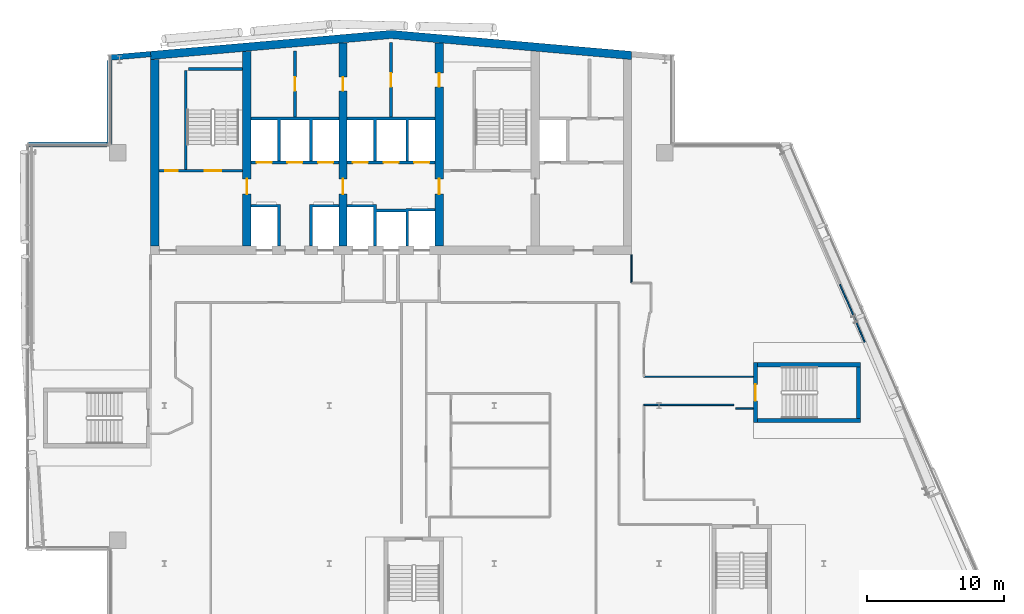
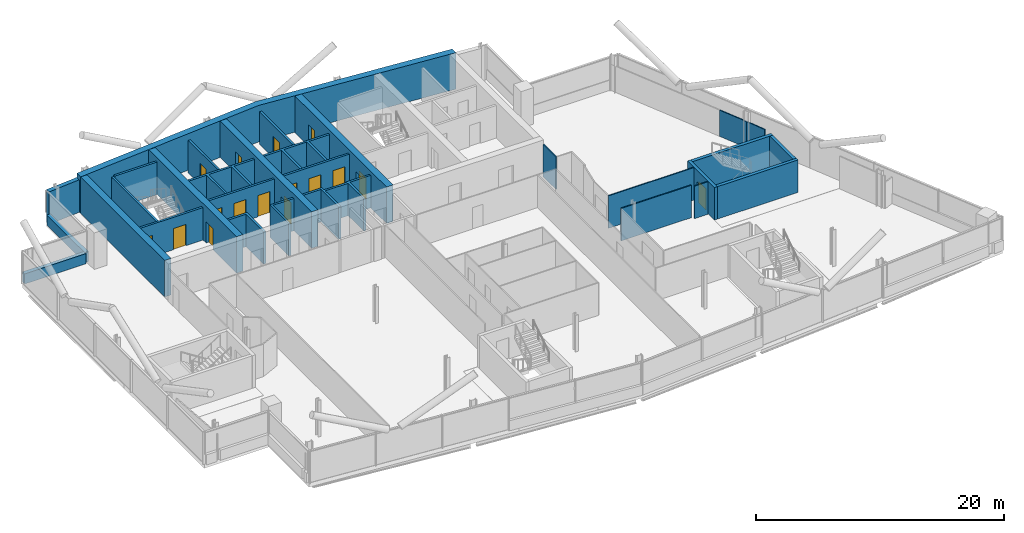
# One storey, part 17 of 26: 30 walls, 16 doors, 16 openings.
"""IFC4 building model written with IfcOpenShell, lengths in metres."""

from ifc_helpers import new_model, si_unit, direction, frame, frame_2d, origin, place, context, subcontext, project, spatial, polyline, rectangle, outline, extrude, material, layer, layer_set, type_object, element, fill, save


model = new_model("IFC4")

# Units and contexts
model_context = context("Model", 3, precision=1e-05, world=origin(), true_north=direction((0.0, 1.0)))
body_context = subcontext(model_context, "Body", "Model", "MODEL_VIEW")
ifc_project = project(units=[si_unit("LENGTHUNIT", "METRE"), si_unit("AREAUNIT", "SQUARE_METRE"), si_unit("VOLUMEUNIT", "CUBIC_METRE"), si_unit("PLANEANGLEUNIT", "RADIAN"), si_unit("MASSUNIT", "GRAM", prefix="KILO")], contexts=[model_context])

# Site, building, storey
site_placement = place(None, origin())
site = spatial("IfcSite", under=ifc_project, at=site_placement, CompositionType="ELEMENT")
building_placement = place(site_placement, origin())
building = spatial("IfcBuilding", under=site, at=building_placement, Name="Wharfspan Tower", CompositionType="ELEMENT")
storey_placement = place(building_placement, frame((0.0, 0.0, 235.899902)))
storey = spatial("IfcBuildingStorey", under=building, at=storey_placement, Name="L59", CompositionType="ELEMENT", Elevation=235.899902)

# Walls
ifc_material_1 = material(Name="Gypsum board on steel studs", Category="steel")
ifc_layer_1 = layer(ifc_material_1, 0.100098)
ifc_layer_set_1 = layer_set([ifc_layer_1], Name="Gypsum board on steel studs")
wall_type_1 = type_object("IfcWallType", Name="Compartment wall 100 EI 60", PredefinedType="PARTITIONING", material=ifc_layer_set_1)
wall_1_placement = place(storey_placement, frame((58.0, 31.925049, 0.0), z_axis=(0.0, 0.0, 1.0), x_axis=(0.0, 1.0, 0.0)))
element("IfcWall", 1, at=wall_1_placement, inside=storey, type_object=wall_type_1, Name="Partition L59.w028", PredefinedType="PARTITIONING", context=body_context, shape_type="SweptSolid", body=[
    extrude(rectangle(XDim=2.054932, YDim=0.100098, at=frame_2d((1.027344, 0.0))), origin(), (0.0, 0.0, 1.0), 3.200195),
])
wall_2_placement = place(storey_placement, frame((58.899902, 23.050049, 0.0), z_axis=(0.0, 0.0, 1.0), x_axis=(1.0, 0.0, 0.0)))
element("IfcWall", 2, at=wall_2_placement, inside=storey, type_object=wall_type_1, Name="Partition L59.w032", PredefinedType="PARTITIONING", context=body_context, shape_type="SweptSolid", body=[
    extrude(rectangle(XDim=6.550049, YDim=0.100098, at=frame_2d((3.274902, 0.0))), origin(), (0.0, 0.0, 1.0), 3.200195),
])
wall_3_placement = place(storey_placement, frame((58.899902, 25.100098, 0.0), z_axis=(0.0, 0.0, 1.0), x_axis=(1.0, 0.0, 0.0)))
element("IfcWall", 3, at=wall_3_placement, inside=storey, type_object=wall_type_1, Name="Partition L59.w034", PredefinedType="PARTITIONING", context=body_context, shape_type="SweptSolid", body=[
    extrude(rectangle(XDim=7.949707, YDim=0.100098, at=frame_2d((3.974854, 0.0))), origin(), (0.0, 0.0, 1.0), 3.200195),
])
wall_4_placement = place(storey_placement, frame((65.570068, 22.800049, 0.0), z_axis=(0.0, 0.0, 1.0), x_axis=(1.0, 0.0, 0.0)))
element("IfcWall", 4, at=wall_4_placement, inside=storey, type_object=wall_type_1, Name="Partition L59.w040", PredefinedType="PARTITIONING", context=body_context, shape_type="SweptSolid", body=[
    extrude(rectangle(XDim=1.279541, YDim=0.100098, at=frame_2d((0.639648, 0.0))), origin(), (0.0, 0.0, 1.0), 3.200195),
])

# Wall, opening, door
ifc_material_2 = material(Name="Calcium silicate masonry", Category="masonry")
ifc_layer_2 = layer(ifc_material_2, 0.199951)
ifc_layer_set_2 = layer_set([ifc_layer_2], Name="Calcium silicate masonry")
wall_type_2 = type_object("IfcWallType", Name="Core room wall 200", PredefinedType="PARTITIONING", material=ifc_layer_set_2)
wall_5_placement = place(storey_placement, frame((33.5, 44.0, 0.0), z_axis=(0.0, 0.0, 1.0), x_axis=(0.0, 1.0, 0.0)))
wall_5 = element("IfcWall", 5, at=wall_5_placement, inside=storey, type_object=wall_type_2, Name="sw:L59:RP3.1", PredefinedType="PARTITIONING", context=body_context, shape_type="SweptSolid", body=[
    extrude(rectangle(XDim=4.803711, YDim=0.199951, at=frame_2d((2.401855, 0.0))), origin(), (0.0, 0.0, 1.0), 3.200195),
])
opening_1_placement = place(wall_5_placement, frame((1.901855, 0.0, 0.0)))
opening_1 = element("IfcOpeningElement", 6, at=opening_1_placement, cuts=wall_5, Name="Opening CD59.3P1", PredefinedType="OPENING", context=body_context, shape_type="SweptSolid", body=[
    extrude(rectangle(XDim=1.0, YDim=2.100098, at=frame_2d((0.5, 1.050049))), frame((0.0, 0.109863, 0.0), z_axis=(0.0, -1.0, 0.0), x_axis=(1.0, 0.0, 0.0)), (0.0, 0.0, 1.0), 0.219971),
])
ifc_material_3 = material(Name="Steel door leaf", Category="steel")
door_type_1 = type_object("IfcDoorType", Name="Core room door 1000x2100", OperationType="SINGLE_SWING_LEFT", PredefinedType="DOOR", material=ifc_material_3)
door_1_placement = place(opening_1_placement, origin())
door_1 = element("IfcDoor", 7, at=door_1_placement, inside=storey, type_object=door_type_1, Name="d:L59:3:rp1", OperationType="SINGLE_SWING_LEFT", OverallHeight=2.100098, OverallWidth=1.0, PredefinedType="DOOR", context=body_context, shape_type="SweptSolid", body=[
    extrude(rectangle(XDim=1.0, YDim=2.100098, at=frame_2d((0.5, 1.050049))), frame((0.0, 0.024902, 0.0), z_axis=(0.0, -1.0, 0.0), x_axis=(1.0, 0.0, 0.0)), (0.0, 0.0, 1.0), 0.050049),
])
fill(opening_1, door_1)

wall_6_placement = place(storey_placement, frame((40.5, 44.0, 0.0), z_axis=(0.0, 0.0, 1.0), x_axis=(0.0, 1.0, 0.0)))
wall_6 = element("IfcWall", 8, at=wall_6_placement, inside=storey, type_object=wall_type_2, Name="sw:L59:RP4.1", PredefinedType="PARTITIONING", context=body_context, shape_type="SweptSolid", body=[
    extrude(rectangle(XDim=5.41626, YDim=0.199951, at=frame_2d((2.708008, 0.0))), origin(), (0.0, 0.0, 1.0), 3.200195),
])
opening_2_placement = place(wall_6_placement, frame((2.208008, 0.0, 0.0)))
opening_2 = element("IfcOpeningElement", 9, at=opening_2_placement, cuts=wall_6, Name="Opening CD59.4P1", PredefinedType="OPENING", context=body_context, shape_type="SweptSolid", body=[
    extrude(rectangle(XDim=1.0, YDim=2.100098, at=frame_2d((0.5, 1.050049))), frame((0.0, 0.109863, 0.0), z_axis=(0.0, -1.0, 0.0), x_axis=(1.0, 0.0, 0.0)), (0.0, 0.0, 1.0), 0.219971),
])
door_2_placement = place(opening_2_placement, origin())
door_2 = element("IfcDoor", 10, at=door_2_placement, inside=storey, type_object=door_type_1, Name="d:L59:4:rp1", OperationType="SINGLE_SWING_LEFT", OverallHeight=2.100098, OverallWidth=1.0, PredefinedType="DOOR", context=body_context, shape_type="SweptSolid", body=[
    extrude(rectangle(XDim=1.0, YDim=2.100098, at=frame_2d((0.5, 1.050049))), frame((0.0, 0.024902, 0.0), z_axis=(0.0, -1.0, 0.0), x_axis=(1.0, 0.0, 0.0)), (0.0, 0.0, 1.0), 0.050049),
])
fill(opening_2, door_2)

# Walls
ifc_material_4 = material(Name="Concrete C50/60", Category="concrete")
ifc_layer_3 = layer(ifc_material_4, 0.600098)
ifc_layer_set_3 = layer_set([ifc_layer_3], Name="Concrete C50/60")
wall_type_3 = type_object("IfcWallType", Name="Core wall 600 C50/60", PredefinedType="SHEAR", material=ifc_layer_set_3)
wall_7_placement = place(storey_placement, origin())
element("IfcWall", 11, at=wall_7_placement, inside=storey, type_object=wall_type_3, Name="Core rear wall L59", PredefinedType="SHEAR", context=body_context, shape_type="SweptSolid", body=[
    extrude(outline(polyline([(23.0, 48.185059), (40.5, 49.716064), (58.0, 48.185059), (58.0, 48.787354), (40.5, 50.318359), (23.0, 48.787354), (23.0, 48.185059)])), origin(), (0.0, 0.0, 1.0), 3.600098),
])
wall_8_placement = place(storey_placement, frame((23.300049, 34.600098, 0.0), z_axis=(0.0, 0.0, 1.0), x_axis=(0.0, 1.0, 0.0)))
element("IfcWall", 12, at=wall_8_placement, inside=storey, type_object=wall_type_3, Name="Core cross wall EW0 L59", PredefinedType="SHEAR", context=body_context, shape_type="SweptSolid", body=[
    extrude(rectangle(XDim=13.584961, YDim=0.600098, at=frame_2d((6.79248, 0.0))), origin(), (0.0, 0.0, 1.0), 3.600098),
])

# Wall, opening, door
wall_9_placement = place(storey_placement, frame((30.0, 34.600098, 0.0), z_axis=(0.0, 0.0, 1.0), x_axis=(0.0, 1.0, 0.0)))
wall_9 = element("IfcWall", 13, at=wall_9_placement, inside=storey, type_object=wall_type_3, Name="Core cross wall X3 L59", PredefinedType="SHEAR", context=body_context, shape_type="SweptSolid", body=[
    extrude(rectangle(XDim=14.171143, YDim=0.600098, at=frame_2d((7.085449, 0.0))), origin(), (0.0, 0.0, 1.0), 3.600098),
])
opening_3_placement = place(wall_9_placement, frame((3.800049, 0.0, 0.0)))
opening_3 = element("IfcOpeningElement", 14, at=opening_3_placement, cuts=wall_9, Name="Opening CC59.3", PredefinedType="OPENING", context=body_context, shape_type="SweptSolid", body=[
    extrude(rectangle(XDim=1.100098, YDim=2.100098, at=frame_2d((0.550049, 1.050049))), frame((0.0, 0.310059, 0.0), z_axis=(0.0, -1.0, 0.0), x_axis=(1.0, 0.0, 0.0)), (0.0, 0.0, 1.0), 0.620117),
])
door_type_2 = type_object("IfcDoorType", Name="Core corridor door 1100x2100", OperationType="SINGLE_SWING_LEFT", PredefinedType="DOOR", material=ifc_material_3)
door_3_placement = place(opening_3_placement, origin())
door_3 = element("IfcDoor", 15, at=door_3_placement, inside=storey, type_object=door_type_2, Name="xd:L59:3", OperationType="SINGLE_SWING_LEFT", OverallHeight=2.100098, OverallWidth=1.100098, PredefinedType="DOOR", context=body_context, shape_type="SweptSolid", body=[
    extrude(rectangle(XDim=1.100098, YDim=2.100098, at=frame_2d((0.550049, 1.050049))), frame((0.0, 0.024902, 0.0), z_axis=(0.0, -1.0, 0.0), x_axis=(1.0, 0.0, 0.0)), (0.0, 0.0, 1.0), 0.050049),
])
fill(opening_3, door_3)

# Wall, openings, doors
wall_10_placement = place(storey_placement, frame((37.0, 34.600098, 0.0), z_axis=(0.0, 0.0, 1.0), x_axis=(0.0, 1.0, 0.0)))
wall_10 = element("IfcWall", 16, at=wall_10_placement, inside=storey, type_object=wall_type_3, Name="Core cross wall X4 L59", PredefinedType="SHEAR", context=body_context, shape_type="SweptSolid", body=[
    extrude(rectangle(XDim=14.783691, YDim=0.600098, at=frame_2d((7.391846, 0.0))), origin(), (0.0, 0.0, 1.0), 3.600098),
])
opening_4_placement = place(wall_10_placement, frame((11.302002, 0.0, 0.0)))
opening_4 = element("IfcOpeningElement", 17, at=opening_4_placement, cuts=wall_10, Name="Opening CD59.3X", PredefinedType="OPENING", context=body_context, shape_type="SweptSolid", body=[
    extrude(rectangle(XDim=1.0, YDim=2.100098, at=frame_2d((0.5, 1.050049))), frame((0.0, 0.310059, 0.0), z_axis=(0.0, -1.0, 0.0), x_axis=(1.0, 0.0, 0.0)), (0.0, 0.0, 1.0), 0.620117),
])
opening_5_placement = place(wall_10_placement, frame((3.800049, 0.0, 0.0)))
opening_5 = element("IfcOpeningElement", 18, at=opening_5_placement, cuts=wall_10, Name="Opening CC59.4", PredefinedType="OPENING", context=body_context, shape_type="SweptSolid", body=[
    extrude(rectangle(XDim=1.100098, YDim=2.100098, at=frame_2d((0.550049, 1.050049))), frame((0.0, 0.310059, 0.0), z_axis=(0.0, -1.0, 0.0), x_axis=(1.0, 0.0, 0.0)), (0.0, 0.0, 1.0), 0.620117),
])
door_4_placement = place(opening_5_placement, origin())
door_4 = element("IfcDoor", 19, at=door_4_placement, inside=storey, type_object=door_type_2, Name="xd:L59:4", OperationType="SINGLE_SWING_RIGHT", OverallHeight=2.100098, OverallWidth=1.100098, PredefinedType="DOOR", context=body_context, shape_type="SweptSolid", body=[
    extrude(rectangle(XDim=1.100098, YDim=2.100098, at=frame_2d((0.550049, 1.050049))), frame((0.0, 0.024902, 0.0), z_axis=(0.0, -1.0, 0.0), x_axis=(1.0, 0.0, 0.0)), (0.0, 0.0, 1.0), 0.050049),
])
fill(opening_5, door_4)
door_5_placement = place(opening_4_placement, origin())
door_5 = element("IfcDoor", 20, at=door_5_placement, inside=storey, type_object=door_type_1, Name="d:L59:3:sx", OperationType="SINGLE_SWING_LEFT", OverallHeight=2.100098, OverallWidth=1.0, PredefinedType="DOOR", context=body_context, shape_type="SweptSolid", body=[
    extrude(rectangle(XDim=1.0, YDim=2.100098, at=frame_2d((0.5, 1.050049))), frame((0.0, 0.024902, 0.0), z_axis=(0.0, -1.0, 0.0), x_axis=(1.0, 0.0, 0.0)), (0.0, 0.0, 1.0), 0.050049),
])
fill(opening_4, door_5)

wall_11_placement = place(storey_placement, frame((44.0, 34.600098, 0.0), z_axis=(0.0, 0.0, 1.0), x_axis=(0.0, 1.0, 0.0)))
wall_11 = element("IfcWall", 21, at=wall_11_placement, inside=storey, type_object=wall_type_3, Name="Core cross wall X5 L59", PredefinedType="SHEAR", context=body_context, shape_type="SweptSolid", body=[
    extrude(rectangle(XDim=14.783691, YDim=0.600098, at=frame_2d((7.391846, 0.0))), origin(), (0.0, 0.0, 1.0), 3.600098),
])
opening_6_placement = place(wall_11_placement, frame((11.608154, 0.0, 0.0)))
opening_6 = element("IfcOpeningElement", 22, at=opening_6_placement, cuts=wall_11, Name="Opening CD59.4X", PredefinedType="OPENING", context=body_context, shape_type="SweptSolid", body=[
    extrude(rectangle(XDim=1.0, YDim=2.100098, at=frame_2d((0.5, 1.050049))), frame((0.0, 0.310059, 0.0), z_axis=(0.0, -1.0, 0.0), x_axis=(1.0, 0.0, 0.0)), (0.0, 0.0, 1.0), 0.620117),
])
opening_7_placement = place(wall_11_placement, frame((3.800049, 0.0, 0.0)))
opening_7 = element("IfcOpeningElement", 23, at=opening_7_placement, cuts=wall_11, Name="Opening CC59.5", PredefinedType="OPENING", context=body_context, shape_type="SweptSolid", body=[
    extrude(rectangle(XDim=1.100098, YDim=2.100098, at=frame_2d((0.550049, 1.050049))), frame((0.0, 0.310059, 0.0), z_axis=(0.0, -1.0, 0.0), x_axis=(1.0, 0.0, 0.0)), (0.0, 0.0, 1.0), 0.620117),
])
door_6_placement = place(opening_7_placement, origin())
door_6 = element("IfcDoor", 24, at=door_6_placement, inside=storey, type_object=door_type_2, Name="xd:L59:5", OperationType="SINGLE_SWING_LEFT", OverallHeight=2.100098, OverallWidth=1.100098, PredefinedType="DOOR", context=body_context, shape_type="SweptSolid", body=[
    extrude(rectangle(XDim=1.100098, YDim=2.100098, at=frame_2d((0.550049, 1.050049))), frame((0.0, 0.024902, 0.0), z_axis=(0.0, -1.0, 0.0), x_axis=(1.0, 0.0, 0.0)), (0.0, 0.0, 1.0), 0.050049),
])
fill(opening_7, door_6)
door_7_placement = place(opening_6_placement, origin())
door_7 = element("IfcDoor", 25, at=door_7_placement, inside=storey, type_object=door_type_1, Name="d:L59:4:sx", OperationType="SINGLE_SWING_LEFT", OverallHeight=2.100098, OverallWidth=1.0, PredefinedType="DOOR", context=body_context, shape_type="SweptSolid", body=[
    extrude(rectangle(XDim=1.0, YDim=2.100098, at=frame_2d((0.5, 1.050049))), frame((0.0, 0.024902, 0.0), z_axis=(0.0, -1.0, 0.0), x_axis=(1.0, 0.0, 0.0)), (0.0, 0.0, 1.0), 0.050049),
])
fill(opening_6, door_7)

ifc_material_5 = material(Name="Concrete C30/37", Category="concrete")
ifc_layer_4 = layer(ifc_material_5, 0.199951)
ifc_layer_set_4 = layer_set([ifc_layer_4], Name="Concrete C30/37")
wall_type_4 = type_object("IfcWallType", Name="Lift shaft wall 200", PredefinedType="PARTITIONING", material=ifc_layer_set_4)
wall_12_placement = place(storey_placement, frame((30.300049, 40.699951, 0.0), z_axis=(0.0, 0.0, 1.0), x_axis=(1.0, 0.0, 0.0)))
wall_12 = element("IfcWall", 26, at=wall_12_placement, inside=storey, type_object=wall_type_4, Name="sw:L59:RF3", PredefinedType="PARTITIONING", context=body_context, shape_type="SweptSolid", body=[
    extrude(rectangle(XDim=6.399902, YDim=0.199951, at=frame_2d((3.199951, 0.0))), origin(), (0.0, 0.0, 1.0), 3.200195),
])
opening_8_placement = place(wall_12_placement, frame((0.416748, 0.0, 0.0)))
opening_8 = element("IfcOpeningElement", 27, at=opening_8_placement, cuts=wall_12, Name="Opening LD.LB1.L59", PredefinedType="OPENING", context=body_context, shape_type="SweptSolid", body=[
    extrude(rectangle(XDim=1.100098, YDim=2.100098, at=frame_2d((0.550049, 1.050049))), frame((0.0, 0.109863, 0.0), z_axis=(0.0, -1.0, 0.0), x_axis=(1.0, 0.0, 0.0)), (0.0, 0.0, 1.0), 0.219971),
])
opening_9_placement = place(wall_12_placement, frame((2.649902, 0.0, 0.0)))
opening_9 = element("IfcOpeningElement", 28, at=opening_9_placement, cuts=wall_12, Name="Opening LD.LB2.L59", PredefinedType="OPENING", context=body_context, shape_type="SweptSolid", body=[
    extrude(rectangle(XDim=1.100098, YDim=2.100098, at=frame_2d((0.550049, 1.050049))), frame((0.0, 0.109863, 0.0), z_axis=(0.0, -1.0, 0.0), x_axis=(1.0, 0.0, 0.0)), (0.0, 0.0, 1.0), 0.219971),
])
opening_10_placement = place(wall_12_placement, frame((4.883301, 0.0, 0.0)))
opening_10 = element("IfcOpeningElement", 29, at=opening_10_placement, cuts=wall_12, Name="Opening LD.LB3.L59", PredefinedType="OPENING", context=body_context, shape_type="SweptSolid", body=[
    extrude(rectangle(XDim=1.100098, YDim=2.100098, at=frame_2d((0.550049, 1.050049))), frame((0.0, 0.109863, 0.0), z_axis=(0.0, -1.0, 0.0), x_axis=(1.0, 0.0, 0.0)), (0.0, 0.0, 1.0), 0.219971),
])
ifc_material_6 = material(Name="Stainless steel", Category="steel")
door_type_3 = type_object("IfcDoorType", Name="Lift landing door 1100x2100", OperationType="DOUBLE_DOOR_SLIDING", PredefinedType="DOOR", material=ifc_material_6)
door_8_placement = place(opening_8_placement, origin())
door_8 = element("IfcDoor", 30, at=door_8_placement, inside=storey, type_object=door_type_3, Name="Landing door LB1 L59", OperationType="DOUBLE_DOOR_SLIDING", OverallHeight=2.100098, OverallWidth=1.100098, PredefinedType="DOOR", context=body_context, shape_type="SweptSolid", body=[
    extrude(rectangle(XDim=1.100098, YDim=2.100098, at=frame_2d((0.550049, 1.050049))), frame((0.0, 0.024902, 0.0), z_axis=(0.0, -1.0, 0.0), x_axis=(1.0, 0.0, 0.0)), (0.0, 0.0, 1.0), 0.050049),
])
fill(opening_8, door_8)
door_9_placement = place(opening_9_placement, origin())
door_9 = element("IfcDoor", 31, at=door_9_placement, inside=storey, type_object=door_type_3, Name="Landing door LB2 L59", OperationType="DOUBLE_DOOR_SLIDING", OverallHeight=2.100098, OverallWidth=1.100098, PredefinedType="DOOR", context=body_context, shape_type="SweptSolid", body=[
    extrude(rectangle(XDim=1.100098, YDim=2.100098, at=frame_2d((0.550049, 1.050049))), frame((0.0, 0.024902, 0.0), z_axis=(0.0, -1.0, 0.0), x_axis=(1.0, 0.0, 0.0)), (0.0, 0.0, 1.0), 0.050049),
])
fill(opening_9, door_9)
door_10_placement = place(opening_10_placement, origin())
door_10 = element("IfcDoor", 32, at=door_10_placement, inside=storey, type_object=door_type_3, Name="Landing door LB3 L59", OperationType="DOUBLE_DOOR_SLIDING", OverallHeight=2.100098, OverallWidth=1.100098, PredefinedType="DOOR", context=body_context, shape_type="SweptSolid", body=[
    extrude(rectangle(XDim=1.100098, YDim=2.100098, at=frame_2d((0.550049, 1.050049))), frame((0.0, 0.024902, 0.0), z_axis=(0.0, -1.0, 0.0), x_axis=(1.0, 0.0, 0.0)), (0.0, 0.0, 1.0), 0.050049),
])
fill(opening_10, door_10)

# Walls
wall_13_placement = place(storey_placement, origin())
element("IfcWall", 33, at=wall_13_placement, inside=storey, type_object=wall_type_4, Name="sw:L59:FM3.0", PredefinedType="PARTITIONING", context=body_context, shape_type="SweptSolid", body=[
    extrude(outline(polyline([(32.233398, 37.449951), (30.300049, 37.449951), (30.300049, 37.649902), (32.233398, 37.649902), (32.43335, 37.649902), (32.43335, 34.600098), (32.233398, 34.600098), (32.233398, 37.449951)])), origin(), (0.0, 0.0, 1.0), 3.200195),
])
wall_14_placement = place(storey_placement, origin())
element("IfcWall", 34, at=wall_14_placement, inside=storey, type_object=wall_type_4, Name="sw:L59:FM3.1", PredefinedType="PARTITIONING", context=body_context, shape_type="SweptSolid", body=[
    extrude(outline(polyline([(34.56665, 37.649902), (34.766602, 37.649902), (36.699951, 37.649902), (36.699951, 37.449951), (34.766602, 37.449951), (34.766602, 34.600098), (34.56665, 34.600098), (34.56665, 37.649902)])), origin(), (0.0, 0.0, 1.0), 3.200195),
])
wall_15_placement = place(storey_placement, origin())
element("IfcWall", 35, at=wall_15_placement, inside=storey, type_object=wall_type_4, Name="sw:L59:RM3.0", PredefinedType="PARTITIONING", context=body_context, shape_type="SweptSolid", body=[
    extrude(outline(polyline([(32.43335, 40.800049), (32.233398, 40.800049), (32.233398, 43.800049), (30.300049, 43.800049), (30.300049, 44.0), (36.699951, 44.0), (36.699951, 43.800049), (34.766602, 43.800049), (34.766602, 40.800049), (34.56665, 40.800049), (34.56665, 43.800049), (32.43335, 43.800049), (32.43335, 40.800049)])), origin(), (0.0, 0.0, 1.0), 3.200195),
])

# Wall, openings, doors
wall_16_placement = place(storey_placement, frame((37.300049, 40.699951, 0.0), z_axis=(0.0, 0.0, 1.0), x_axis=(1.0, 0.0, 0.0)))
wall_16 = element("IfcWall", 36, at=wall_16_placement, inside=storey, type_object=wall_type_4, Name="sw:L59:RF4", PredefinedType="PARTITIONING", context=body_context, shape_type="SweptSolid", body=[
    extrude(rectangle(XDim=6.399902, YDim=0.199951, at=frame_2d((3.199951, 0.0))), origin(), (0.0, 0.0, 1.0), 3.200195),
])
opening_11_placement = place(wall_16_placement, frame((0.416748, 0.0, 0.0)))
opening_11 = element("IfcOpeningElement", 37, at=opening_11_placement, cuts=wall_16, Name="Opening LD.LB4.L59", PredefinedType="OPENING", context=body_context, shape_type="SweptSolid", body=[
    extrude(rectangle(XDim=1.100098, YDim=2.100098, at=frame_2d((0.550049, 1.050049))), frame((0.0, 0.109863, 0.0), z_axis=(0.0, -1.0, 0.0), x_axis=(1.0, 0.0, 0.0)), (0.0, 0.0, 1.0), 0.219971),
])
opening_12_placement = place(wall_16_placement, frame((2.649902, 0.0, 0.0)))
opening_12 = element("IfcOpeningElement", 38, at=opening_12_placement, cuts=wall_16, Name="Opening LD.LB5.L59", PredefinedType="OPENING", context=body_context, shape_type="SweptSolid", body=[
    extrude(rectangle(XDim=1.100098, YDim=2.100098, at=frame_2d((0.550049, 1.050049))), frame((0.0, 0.109863, 0.0), z_axis=(0.0, -1.0, 0.0), x_axis=(1.0, 0.0, 0.0)), (0.0, 0.0, 1.0), 0.219971),
])
opening_13_placement = place(wall_16_placement, frame((4.883301, 0.0, 0.0)))
opening_13 = element("IfcOpeningElement", 39, at=opening_13_placement, cuts=wall_16, Name="Opening LD.LB6.L59", PredefinedType="OPENING", context=body_context, shape_type="SweptSolid", body=[
    extrude(rectangle(XDim=1.100098, YDim=2.100098, at=frame_2d((0.550049, 1.050049))), frame((0.0, 0.109863, 0.0), z_axis=(0.0, -1.0, 0.0), x_axis=(1.0, 0.0, 0.0)), (0.0, 0.0, 1.0), 0.219971),
])
door_11_placement = place(opening_11_placement, origin())
door_11 = element("IfcDoor", 40, at=door_11_placement, inside=storey, type_object=door_type_3, Name="Landing door LB4 L59", OperationType="DOUBLE_DOOR_SLIDING", OverallHeight=2.100098, OverallWidth=1.100098, PredefinedType="DOOR", context=body_context, shape_type="SweptSolid", body=[
    extrude(rectangle(XDim=1.100098, YDim=2.100098, at=frame_2d((0.550049, 1.050049))), frame((0.0, 0.024902, 0.0), z_axis=(0.0, -1.0, 0.0), x_axis=(1.0, 0.0, 0.0)), (0.0, 0.0, 1.0), 0.050049),
])
fill(opening_11, door_11)
door_12_placement = place(opening_12_placement, origin())
door_12 = element("IfcDoor", 41, at=door_12_placement, inside=storey, type_object=door_type_3, Name="Landing door LB5 L59", OperationType="DOUBLE_DOOR_SLIDING", OverallHeight=2.100098, OverallWidth=1.100098, PredefinedType="DOOR", context=body_context, shape_type="SweptSolid", body=[
    extrude(rectangle(XDim=1.100098, YDim=2.100098, at=frame_2d((0.550049, 1.050049))), frame((0.0, 0.024902, 0.0), z_axis=(0.0, -1.0, 0.0), x_axis=(1.0, 0.0, 0.0)), (0.0, 0.0, 1.0), 0.050049),
])
fill(opening_12, door_12)
door_13_placement = place(opening_13_placement, origin())
door_13 = element("IfcDoor", 42, at=door_13_placement, inside=storey, type_object=door_type_3, Name="Landing door LB6 L59", OperationType="DOUBLE_DOOR_SLIDING", OverallHeight=2.100098, OverallWidth=1.100098, PredefinedType="DOOR", context=body_context, shape_type="SweptSolid", body=[
    extrude(rectangle(XDim=1.100098, YDim=2.100098, at=frame_2d((0.550049, 1.050049))), frame((0.0, 0.024902, 0.0), z_axis=(0.0, -1.0, 0.0), x_axis=(1.0, 0.0, 0.0)), (0.0, 0.0, 1.0), 0.050049),
])
fill(opening_13, door_13)

# Walls
wall_17_placement = place(storey_placement, origin())
element("IfcWall", 43, at=wall_17_placement, inside=storey, type_object=wall_type_4, Name="sw:L59:FM4.0", PredefinedType="PARTITIONING", context=body_context, shape_type="SweptSolid", body=[
    extrude(outline(polyline([(41.56665, 37.100098), (39.43335, 37.100098), (39.43335, 34.600098), (39.233398, 34.600098), (39.233398, 37.449951), (37.300049, 37.449951), (37.300049, 37.649902), (39.233398, 37.649902), (39.43335, 37.649902), (39.43335, 37.300049), (41.56665, 37.300049), (41.56665, 37.350098), (41.766602, 37.350098), (43.699951, 37.350098), (43.699951, 37.149902), (41.766602, 37.149902), (41.766602, 34.600098), (41.56665, 34.600098), (41.56665, 37.100098)])), origin(), (0.0, 0.0, 1.0), 3.200195),
])
wall_18_placement = place(storey_placement, origin())
element("IfcWall", 44, at=wall_18_placement, inside=storey, type_object=wall_type_4, Name="sw:L59:RM4.0", PredefinedType="PARTITIONING", context=body_context, shape_type="SweptSolid", body=[
    extrude(outline(polyline([(39.43335, 40.800049), (39.233398, 40.800049), (39.233398, 43.800049), (37.300049, 43.800049), (37.300049, 44.0), (43.699951, 44.0), (43.699951, 43.800049), (41.766602, 43.800049), (41.766602, 40.800049), (41.56665, 40.800049), (41.56665, 43.800049), (39.43335, 43.800049), (39.43335, 40.800049)])), origin(), (0.0, 0.0, 1.0), 3.200195),
])
ifc_layer_5 = layer(ifc_material_1, 0.100098)
ifc_layer_set_5 = layer_set([ifc_layer_5], Name="Gypsum board on steel studs")
wall_type_5 = type_object("IfcWallType", Name="Partition 100", PredefinedType="PARTITIONING", material=ifc_layer_set_5)
wall_19_placement = place(storey_placement, frame((74.264893, 29.310059, 0.0), z_axis=(0.0, 0.0, 1.0), x_axis=(-0.401346, 0.915924, 0.0)))
element("IfcWall", 45, at=wall_19_placement, inside=storey, type_object=wall_type_5, Name="Partition L59.w046", PredefinedType="PARTITIONING", context=body_context, shape_type="SweptSolid", body=[
    extrude(rectangle(XDim=2.740479, YDim=0.100098, at=frame_2d((1.370117, 0.0))), origin(), (0.0, 0.0, 1.0), 2.580078),
])
wall_20_placement = place(storey_placement, frame((74.961914, 27.620117, 0.0), z_axis=(0.0, 0.0, 1.0), x_axis=(-0.381293, 0.924452, 0.0)))
element("IfcWall", 46, at=wall_20_placement, inside=storey, type_object=wall_type_5, Name="Partition L59.w047", PredefinedType="PARTITIONING", context=body_context, shape_type="SweptSolid", body=[
    extrude(rectangle(XDim=1.828125, YDim=0.100098, at=frame_2d((0.914062, 0.0))), origin(), (0.0, 0.0, 1.0), 2.580078),
])
ifc_material_7 = material(Name="Concrete C40/50", Category="concrete")
ifc_layer_6 = layer(ifc_material_7, 0.350098)
ifc_layer_set_6 = layer_set([ifc_layer_6], Name="Concrete C40/50")
wall_type_6 = type_object("IfcWallType", Name="SPANDREL EXPOSED CONCRETE 350", PredefinedType="SOLIDWALL", material=ifc_layer_set_6)
wall_21_placement = place(storey_placement, frame((19.995117, 48.126465, 0.0), z_axis=(0.0, 0.0, 1.0), x_axis=(0.0, -1.0, 0.0)))
element("IfcWall", 47, at=wall_21_placement, inside=storey, type_object=wall_type_6, Name="Spandrel upstand L59 NRW-V", PredefinedType="SOLIDWALL", context=body_context, shape_type="SweptSolid", body=[
    extrude(rectangle(XDim=6.126465, YDim=0.350098, at=frame_2d((3.063232, 0.0))), origin(), (0.0, 0.0, 1.0), 1.0),
])
wall_22_placement = place(storey_placement, frame((19.820068, 42.004883, 0.0), z_axis=(0.0, 0.0, 1.0), x_axis=(-1.0, 0.0, 0.0)))
element("IfcWall", 48, at=wall_22_placement, inside=storey, type_object=wall_type_6, Name="Spandrel upstand L59 NRW-H", PredefinedType="SOLIDWALL", context=body_context, shape_type="SweptSolid", body=[
    extrude(rectangle(XDim=5.699951, YDim=0.350098, at=frame_2d((2.850098, 0.0))), origin(), (0.0, 0.0, 1.0), 1.0),
])

# Wall, opening, door
ifc_layer_7 = layer(ifc_material_7, 0.300049)
ifc_layer_set_7 = layer_set([ifc_layer_7], Name="Concrete C40/50")
wall_type_7 = type_object("IfcWallType", Name="Stair core wall 300", PredefinedType="SHEAR", material=ifc_layer_set_7)
wall_23_placement = place(storey_placement, frame((67.019531, 21.774902, 0.0), z_axis=(0.0, 0.0, 1.0), x_axis=(0.0, 1.0, 0.0)))
wall_23 = element("IfcWall", 49, at=wall_23_placement, inside=storey, type_object=wall_type_7, Name="ST6 stair enclosure wall L59", PredefinedType="SHEAR", context=body_context, shape_type="SweptSolid", body=[
    extrude(rectangle(XDim=4.350098, YDim=0.300049, at=frame_2d((2.175049, 0.0))), origin(), (0.0, 0.0, 1.0), 3.200195),
])
opening_14_placement = place(wall_23_placement, frame((1.574951, 0.0, 0.0)))
opening_14 = element("IfcOpeningElement", 50, at=opening_14_placement, cuts=wall_23, Name="Opening SD6.L59", PredefinedType="OPENING", context=body_context, shape_type="SweptSolid", body=[
    extrude(rectangle(XDim=1.199951, YDim=2.100098, at=frame_2d((0.600098, 1.050049))), frame((0.0, 0.159912, 0.0), z_axis=(0.0, -1.0, 0.0), x_axis=(1.0, 0.0, 0.0)), (0.0, 0.0, 1.0), 0.320068),
])
door_type_4 = type_object("IfcDoorType", Name="Stair door 1200x2100", OperationType="SINGLE_SWING_LEFT", PredefinedType="DOOR", material=ifc_material_3)
door_14_placement = place(opening_14_placement, origin())
door_14 = element("IfcDoor", 51, at=door_14_placement, inside=storey, type_object=door_type_4, Name="sd:L59:ST6z4", OperationType="SINGLE_SWING_RIGHT", OverallHeight=2.100098, OverallWidth=1.199951, PredefinedType="DOOR", context=body_context, shape_type="SweptSolid", body=[
    extrude(rectangle(XDim=1.199951, YDim=2.100098, at=frame_2d((0.600098, 1.050049))), frame((0.0, 0.024902, 0.0), z_axis=(0.0, -1.0, 0.0), x_axis=(1.0, 0.0, 0.0)), (0.0, 0.0, 1.0), 0.050049),
])
fill(opening_14, door_14)

# Walls
for number, where, z_axis, x_axis, name in (
    (52, (67.169678, 21.925049, 0.0), (0.0, 0.0, 1.0), (1.0, 0.0, 0.0), "ST6 stair enclosure wall L59"),
    (53, (67.169678, 25.975098, 0.0), (0.0, 0.0, 1.0), (1.0, 0.0, 0.0), "ST6 stair enclosure wall L59"),
):
    element("IfcWall", number, at=place(storey_placement, frame(where, z_axis=z_axis, x_axis=x_axis)), inside=storey, type_object=wall_type_7, Name=name, PredefinedType="SHEAR", context=body_context, shape_type="SweptSolid", body=[
        extrude(rectangle(XDim=7.5, YDim=0.300049, at=frame_2d((3.75, 0.0))), origin(), (0.0, 0.0, 1.0), 3.200195),
    ])
wall_24_placement = place(storey_placement, frame((74.519531, 22.074951, 0.0), z_axis=(0.0, 0.0, 1.0), x_axis=(0.0, 1.0, 0.0)))
element("IfcWall", 54, at=wall_24_placement, inside=storey, type_object=wall_type_7, Name="ST6 stair enclosure wall L59", PredefinedType="SHEAR", context=body_context, shape_type="SweptSolid", body=[
    extrude(rectangle(XDim=3.75, YDim=0.300049, at=frame_2d((1.875, 0.0))), origin(), (0.0, 0.0, 1.0), 3.200195),
])

# Wall, openings, doors
ifc_layer_8 = layer(ifc_material_7, 0.199951)
ifc_layer_set_8 = layer_set([ifc_layer_8], Name="Concrete C40/50")
wall_type_8 = type_object("IfcWallType", Name="Stair shaft wall 200", PredefinedType="SHEAR", material=ifc_layer_set_8)
wall_25_placement = place(storey_placement, frame((23.600098, 40.100098, 0.0), z_axis=(0.0, 0.0, 1.0), x_axis=(1.0, 0.0, 0.0)))
wall_25 = element("IfcWall", 55, at=wall_25_placement, inside=storey, type_object=wall_type_8, Name="ST1 stair enclosure wall L59", PredefinedType="SHEAR", context=body_context, shape_type="SweptSolid", body=[
    extrude(rectangle(XDim=6.099854, YDim=0.199951, at=frame_2d((3.049805, 0.0))), origin(), (0.0, 0.0, 1.0), 3.200195),
])
opening_15_placement = place(wall_25_placement, frame((3.324951, 0.0, 0.0)))
opening_15 = element("IfcOpeningElement", 56, at=opening_15_placement, cuts=wall_25, Name="Opening SD2.L59", PredefinedType="OPENING", context=body_context, shape_type="SweptSolid", body=[
    extrude(rectangle(XDim=1.199951, YDim=2.100098, at=frame_2d((0.600098, 1.050049))), frame((0.0, 0.109863, 0.0), z_axis=(0.0, -1.0, 0.0), x_axis=(1.0, 0.0, 0.0)), (0.0, 0.0, 1.0), 0.219971),
])
opening_16_placement = place(wall_25_placement, frame((0.475098, 0.0, 0.0)))
opening_16 = element("IfcOpeningElement", 57, at=opening_16_placement, cuts=wall_25, Name="Opening CD59.2R", PredefinedType="OPENING", context=body_context, shape_type="SweptSolid", body=[
    extrude(rectangle(XDim=0.899902, YDim=2.100098, at=frame_2d((0.449951, 1.050049))), frame((0.0, 0.109863, 0.0), z_axis=(0.0, -1.0, 0.0), x_axis=(1.0, 0.0, 0.0)), (0.0, 0.0, 1.0), 0.219971),
])
door_15_placement = place(opening_16_placement, origin())
door_15 = element("IfcDoor", 58, at=door_15_placement, inside=storey, type_object=door_type_1, Name="rk:L59:2", OperationType="SINGLE_SWING_LEFT", OverallHeight=2.100098, OverallWidth=0.899902, PredefinedType="DOOR", context=body_context, shape_type="SweptSolid", body=[
    extrude(rectangle(XDim=0.899902, YDim=2.100098, at=frame_2d((0.449951, 1.050049))), frame((0.0, 0.024902, 0.0), z_axis=(0.0, -1.0, 0.0), x_axis=(1.0, 0.0, 0.0)), (0.0, 0.0, 1.0), 0.050049),
])
fill(opening_16, door_15)
door_16_placement = place(opening_15_placement, origin())
door_16 = element("IfcDoor", 59, at=door_16_placement, inside=storey, type_object=door_type_4, Name="sd:L59:2", OperationType="SINGLE_SWING_RIGHT", OverallHeight=2.100098, OverallWidth=1.199951, PredefinedType="DOOR", context=body_context, shape_type="SweptSolid", body=[
    extrude(rectangle(XDim=1.199951, YDim=2.100098, at=frame_2d((0.600098, 1.050049))), frame((0.0, 0.024902, 0.0), z_axis=(0.0, -1.0, 0.0), x_axis=(1.0, 0.0, 0.0)), (0.0, 0.0, 1.0), 0.050049),
])
fill(opening_15, door_16)

# Walls
wall_26_placement = place(storey_placement, frame((25.550049, 40.199951, 0.0), z_axis=(0.0, 0.0, 1.0), x_axis=(0.0, 1.0, 0.0)))
element("IfcWall", 60, at=wall_26_placement, inside=storey, type_object=wall_type_8, Name="ST1 stair enclosure wall L59", PredefinedType="SHEAR", context=body_context, shape_type="SweptSolid", body=[
    extrude(rectangle(XDim=7.199951, YDim=0.199951, at=frame_2d((3.600098, 0.0))), origin(), (0.0, 0.0, 1.0), 3.200195),
])
wall_27_placement = place(storey_placement, frame((25.75, 47.5, 0.0), z_axis=(0.0, 0.0, 1.0), x_axis=(1.0, 0.0, 0.0)))
element("IfcWall", 61, at=wall_27_placement, inside=storey, type_object=wall_type_8, Name="ST1 stair enclosure wall L59", PredefinedType="SHEAR", context=body_context, shape_type="SweptSolid", body=[
    extrude(rectangle(XDim=3.949951, YDim=0.199951, at=frame_2d((1.975098, 0.0))), origin(), (0.0, 0.0, 1.0), 3.200195),
])
ifc_layer_9 = layer(ifc_material_7, 0.399902)
ifc_layer_set_9 = layer_set([ifc_layer_9], Name="Concrete C40/50")
wall_type_9 = type_object("IfcWallType", Name="WALL EXPOSED CONCRETE 400", PredefinedType="SOLIDWALL", material=ifc_layer_set_9)
wall_28_placement = place(storey_placement, frame((23.0, 48.58667, 0.0), z_axis=(0.0, 0.0, 1.0), x_axis=(-0.996194, -0.087168, 0.0)))
element("IfcWall", 62, at=wall_28_placement, inside=storey, type_object=wall_type_9, Name="Rear wall N1", PredefinedType="SOLIDWALL", context=body_context, shape_type="SweptSolid", body=[
    extrude(rectangle(XDim=2.994141, YDim=0.399902, at=frame_2d((1.49707, 0.0))), origin(), (0.0, 0.0, 1.0), 3.200195),
])

save(model, "model.ifc")
